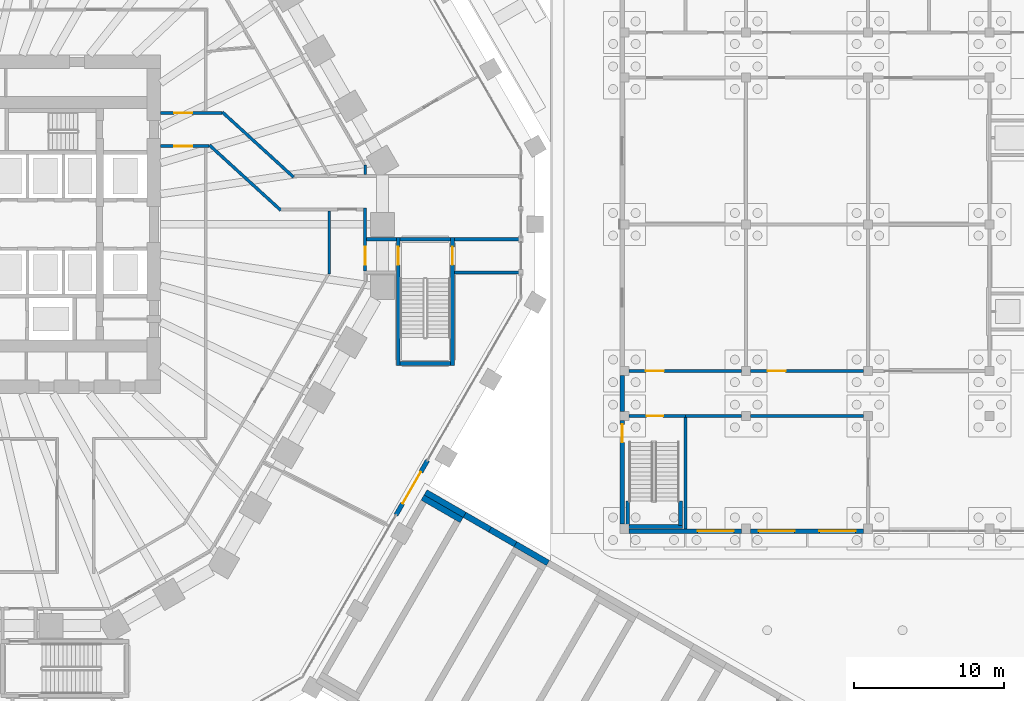
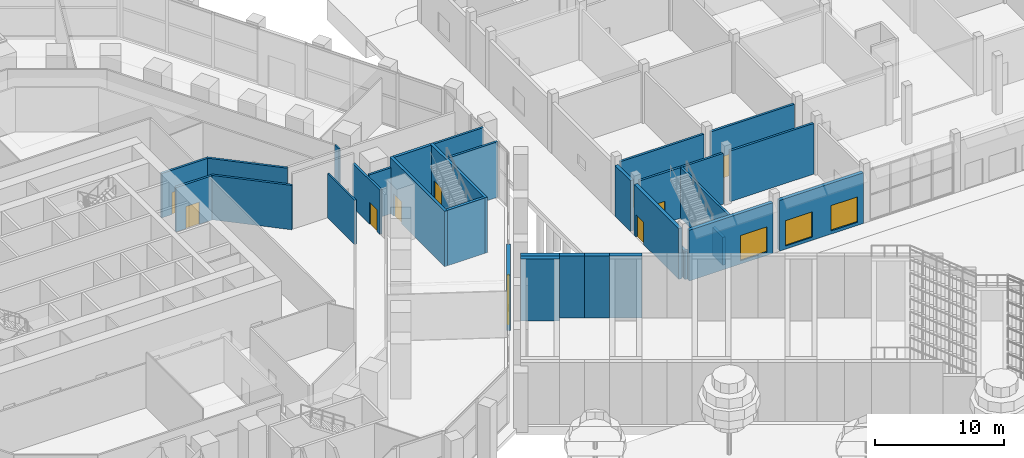
# One storey, part 22 of 44: 33 walls, 10 doors, 3 windows, 13 openings.
"""IFC4 building model written with IfcOpenShell, lengths in metres."""

from ifc_helpers import new_model, si_unit, direction, frame, frame_2d, origin, place, context, subcontext, project, spatial, rectangle, extrude, material, layer, layer_set, type_object, element, fill, save


model = new_model("IFC4")

# Units and contexts
model_context = context("Model", 3, precision=1e-05, world=origin(), true_north=direction((0.0, 1.0)))
body_context = subcontext(model_context, "Body", "Model", "MODEL_VIEW")
ifc_project = project(units=[si_unit("LENGTHUNIT", "METRE"), si_unit("AREAUNIT", "SQUARE_METRE"), si_unit("VOLUMEUNIT", "CUBIC_METRE"), si_unit("PLANEANGLEUNIT", "RADIAN"), si_unit("MASSUNIT", "GRAM", prefix="KILO")], contexts=[model_context])

# Site, building, storey
site_placement = place(None, origin())
site = spatial("IfcSite", under=ifc_project, at=site_placement, CompositionType="ELEMENT")
building_placement = place(site_placement, origin())
building = spatial("IfcBuilding", under=site, at=building_placement, Name="Frailejon Research Tower", CompositionType="ELEMENT")
storey_placement = place(building_placement, origin())
storey = spatial("IfcBuildingStorey", under=building, at=storey_placement, Name="L00", CompositionType="ELEMENT", Elevation=0.0)

# Walls
ifc_material_1 = material(Name="Gypsum board and masonry partition", Category="masonry")
ifc_layer_1 = layer(ifc_material_1, 0.14990234375)
ifc_layer_set_1 = layer_set([ifc_layer_1], Name="Corridor wall EI 60, gypsum on steel studs 150")
wall_type_1 = type_object("IfcWallType", Name="Corridor wall EI 60, gypsum on steel studs 150", PredefinedType="PARTITIONING", material=ifc_layer_set_1)
wall_1_placement = place(storey_placement, frame((27.2626953125, 3.300048828125, 0.0), z_axis=(0.0, 0.0, 1.0), x_axis=(0.0, 1.0, 0.0)))
element("IfcWall", 1, at=wall_1_placement, inside=storey, type_object=wall_type_1, Name="T:IW:L00:010", PredefinedType="PARTITIONING", context=body_context, shape_type="SweptSolid", body=[
    extrude(rectangle(XDim=0.654296875, YDim=0.14990234375, at=frame_2d((0.3271484375, 0.0))), origin(), (0.0, 0.0, 1.0), 4.199951171875),
])
wall_2_placement = place(storey_placement, frame((24.86279296875, -3.311279296875, 0.0), z_axis=(0.0, 0.0, 1.0), x_axis=(0.0, 1.0, 0.0)))
element("IfcWall", 2, at=wall_2_placement, inside=storey, type_object=wall_type_1, Name="T:IW:L00:040", PredefinedType="PARTITIONING", context=body_context, shape_type="SweptSolid", body=[
    extrude(rectangle(XDim=4.211181640625, YDim=0.14990234375, at=frame_2d((2.10546875, 0.0))), origin(), (0.0, 0.0, 1.0), 4.199951171875),
])

# Wall, opening, door
ifc_material_2 = material(Name="Gypsum board and masonry partition", Category="masonry")
ifc_layer_2 = layer(ifc_material_2, 0.199951171875)
ifc_layer_set_2 = layer_set([ifc_layer_2], Name="Enclosure wall EI 120, blockwork 200")
wall_type_2 = type_object("IfcWallType", Name="Enclosure wall EI 120, blockwork 200", PredefinedType="PARTITIONING", material=ifc_layer_set_2)
wall_3_placement = place(storey_placement, frame((13.64990234375, 7.39990234375, 0.0), z_axis=(0.0, 0.0, 1.0), x_axis=(1.0, 0.0, 0.0)))
wall_3 = element("IfcWall", 3, at=wall_3_placement, inside=storey, type_object=wall_type_2, Name="T:IW:L00:046", PredefinedType="PARTITIONING", context=body_context, shape_type="SweptSolid", body=[
    extrude(rectangle(XDim=4.07666015625, YDim=0.199951171875, at=frame_2d((2.038330078125, 0.0))), origin(), (0.0, 0.0, 1.0), 4.199951171875),
])
opening_1_placement = place(wall_3_placement, frame((0.89990234375, 0.0, 0.0)))
opening_1 = element("IfcOpeningElement", 4, at=opening_1_placement, cuts=wall_3, Name="Opening D1021", PredefinedType="OPENING", context=body_context, shape_type="SweptSolid", body=[
    extrude(rectangle(XDim=1.199951171875, YDim=2.10009765625, at=frame_2d((0.60009765625, 1.050048828125))), frame((0.0, 0.10986328125, 0.0), z_axis=(0.0, -1.0, 0.0), x_axis=(1.0, 0.0, 0.0)), (0.0, 0.0, 1.0), 0.219970703125),
])
ifc_material_3 = material(Name="Steel door leaf", Category="steel")
door_type_1 = type_object("IfcDoorType", Name="Door exit passage, steel, fire rated 1200", OperationType="NOTDEFINED", PredefinedType="DOOR", material=ifc_material_3)
door_1_placement = place(opening_1_placement, origin())
door_1 = element("IfcDoor", 5, at=door_1_placement, inside=storey, type_object=door_type_1, Name="D1021", OperationType="SINGLE_SWING_LEFT", OverallHeight=2.10009765625, OverallWidth=1.199951171875, PredefinedType="DOOR", context=body_context, shape_type="SweptSolid", body=[
    extrude(rectangle(XDim=1.199951171875, YDim=2.10009765625, at=frame_2d((0.60009765625, 1.050048828125))), frame((0.0, 0.02490234375, 0.0), z_axis=(0.0, -1.0, 0.0), x_axis=(1.0, 0.0, 0.0)), (0.0, 0.0, 1.0), 0.050048828125),
])
fill(opening_1, door_1)

wall_4_placement = place(storey_placement, frame((13.64990234375, 5.199951171875, 0.0), z_axis=(0.0, 0.0, 1.0), x_axis=(1.0, 0.0, 0.0)))
wall_4 = element("IfcWall", 6, at=wall_4_placement, inside=storey, type_object=wall_type_2, Name="T:IW:L00:056", PredefinedType="PARTITIONING", context=body_context, shape_type="SweptSolid", body=[
    extrude(rectangle(XDim=3.223388671875, YDim=0.199951171875, at=frame_2d((1.61181640625, 0.0))), origin(), (0.0, 0.0, 1.0), 4.199951171875),
])
opening_2_placement = place(wall_4_placement, frame((0.89990234375, 0.0, 0.0)))
opening_2 = element("IfcOpeningElement", 7, at=opening_2_placement, cuts=wall_4, Name="Opening D1024", PredefinedType="OPENING", context=body_context, shape_type="SweptSolid", body=[
    extrude(rectangle(XDim=1.199951171875, YDim=2.10009765625, at=frame_2d((0.60009765625, 1.050048828125))), frame((0.0, 0.10986328125, 0.0), z_axis=(0.0, -1.0, 0.0), x_axis=(1.0, 0.0, 0.0)), (0.0, 0.0, 1.0), 0.219970703125),
])
door_2_placement = place(opening_2_placement, origin())
door_2 = element("IfcDoor", 8, at=door_2_placement, inside=storey, type_object=door_type_1, Name="D1024", OperationType="SINGLE_SWING_RIGHT", OverallHeight=2.10009765625, OverallWidth=1.199951171875, PredefinedType="DOOR", context=body_context, shape_type="SweptSolid", body=[
    extrude(rectangle(XDim=1.199951171875, YDim=2.10009765625, at=frame_2d((0.60009765625, 1.050048828125))), frame((0.0, 0.02490234375, 0.0), z_axis=(0.0, -1.0, 0.0), x_axis=(1.0, 0.0, 0.0)), (0.0, 0.0, 1.0), 0.050048828125),
])
fill(opening_2, door_2)

wall_5_placement = place(storey_placement, frame((27.2626953125, -3.09375, 0.0), z_axis=(0.0, 0.0, 1.0), x_axis=(0.0, 1.0, 0.0)))
wall_5 = element("IfcWall", 9, at=wall_5_placement, inside=storey, type_object=wall_type_2, Name="T:IW:L00:059", PredefinedType="PARTITIONING", context=body_context, shape_type="SweptSolid", body=[
    extrude(rectangle(XDim=4.19384765625, YDim=0.199951171875, at=frame_2d((2.096923828125, 0.0))), origin(), (0.0, 0.0, 1.0), 4.199951171875),
])
opening_3_placement = place(wall_5_placement, frame((1.599853515625, 0.0, 0.0), z_axis=(0.0, 0.0, 1.0), x_axis=(-1.0, 0.0, 0.0)))
opening_3 = element("IfcOpeningElement", 10, at=opening_3_placement, cuts=wall_5, Name="Opening PSD13", PredefinedType="OPENING", context=body_context, shape_type="SweptSolid", body=[
    extrude(rectangle(XDim=1.199951171875, YDim=2.10009765625, at=frame_2d((0.60009765625, 1.050048828125))), frame((0.0, 0.10986328125, 0.0), z_axis=(0.0, -1.0, 0.0), x_axis=(1.0, 0.0, 0.0)), (0.0, 0.0, 1.0), 0.219970703125),
])
door_3_placement = place(opening_3_placement, origin())
door_3 = element("IfcDoor", 11, at=door_3_placement, inside=storey, type_object=door_type_1, Name="PSD13", OperationType="SINGLE_SWING_RIGHT", OverallHeight=2.10009765625, OverallWidth=1.199951171875, PredefinedType="DOOR", context=body_context, shape_type="SweptSolid", body=[
    extrude(rectangle(XDim=1.199951171875, YDim=2.10009765625, at=frame_2d((0.60009765625, 1.050048828125))), frame((0.0, 0.02490234375, 0.0), z_axis=(0.0, -1.0, 0.0), x_axis=(1.0, 0.0, 0.0)), (0.0, 0.0, 1.0), 0.050048828125),
])
fill(opening_3, door_3)

# Walls
for number, where, z_axis, x_axis, name in (
    (12, (17.752685546875, 7.46728515625, 0.0), (0.0, 0.0, 1.0), (0.738503580816, -0.674249554039, 0.0), "T:IW:L00:064"),
    (13, (16.8994140625, 5.267333984375, 0.0), (0.0, 0.0, 1.0), (0.738503580816, -0.674249554039, 0.0), "T:IW:L00:065"),
):
    element("IfcWall", number, at=place(storey_placement, frame(where, z_axis=z_axis, x_axis=x_axis)), inside=storey, type_object=wall_type_2, Name=name, PredefinedType="PARTITIONING", context=body_context, shape_type="SweptSolid", body=[
        extrude(rectangle(XDim=6.428955078125, YDim=0.199951171875, at=frame_2d((3.21435546875, 0.0))), origin(), (0.0, 0.0, 1.0), 4.199951171875),
    ])
wall_6_placement = place(storey_placement, frame((27.36279296875, -0.993896484375, 0.0), z_axis=(0.0, 0.0, 1.0), x_axis=(1.0, 0.0, 0.0)))
element("IfcWall", 14, at=wall_6_placement, inside=storey, type_object=wall_type_2, Name="T:IW:L00:067", PredefinedType="PARTITIONING", context=body_context, shape_type="SweptSolid", body=[
    extrude(rectangle(XDim=1.97509765625, YDim=0.199951171875, at=frame_2d((0.987548828125, 0.0))), origin(), (0.0, 0.0, 1.0), 4.35009765625),
])
for number, where, z_axis, x_axis, name in (
    (15, (33.187744140625, -0.993896484375, 0.0), (0.0, 0.0, 1.0), (1.0, 0.0, 0.0), "T:IW:L00:068"),
    (16, (33.187744140625, -3.19384765625, 0.0), (0.0, 0.0, 1.0), (1.0, 0.0, 0.0), "T:IW:L00:082"),
):
    element("IfcWall", number, at=place(storey_placement, frame(where, z_axis=z_axis, x_axis=x_axis)), inside=storey, type_object=wall_type_2, Name=name, PredefinedType="PARTITIONING", context=body_context, shape_type="SweptSolid", body=[
        extrude(rectangle(XDim=4.431396484375, YDim=0.199951171875, at=frame_2d((2.2158203125, 0.0))), origin(), (0.0, 0.0, 1.0), 5.25),
    ])

# Wall, opening, window
ifc_material_4 = material(Name="Insulated masonry cavity wall", Category="masonry")
ifc_layer_3 = layer(ifc_material_4, 0.300048828125)
ifc_layer_set_3 = layer_set([ifc_layer_3], Name="HC facade wall 300")
wall_type_3 = type_object("IfcWallType", Name="HC facade wall 300", PredefinedType="SOLIDWALL", material=ifc_layer_set_3)
wall_7_placement = place(storey_placement, frame((44.800048828125, -20.39990234375, 0.0), z_axis=(0.0, 0.0, 1.0), x_axis=(1.0, 0.0, 0.0)))
wall_7 = element("IfcWall", 17, at=wall_7_placement, inside=storey, type_object=wall_type_3, Name="HC facade wall", PredefinedType="SOLIDWALL", context=body_context, shape_type="SweptSolid", body=[
    extrude(rectangle(XDim=7.5, YDim=0.300048828125, at=frame_2d((3.75, 0.0))), origin(), (0.0, 0.0, 1.0), 4.800048828125),
])
opening_4_placement = place(wall_7_placement, frame((4.574951171875, 0.0, 0.300048828125)))
opening_4 = element("IfcOpeningElement", 18, at=opening_4_placement, cuts=wall_7, Name="Opening HW003", PredefinedType="OPENING", context=body_context, shape_type="SweptSolid", body=[
    extrude(rectangle(XDim=2.39990234375, YDim=2.39990234375, at=frame_2d((1.199951171875, 1.199951171875))), frame((0.0, 0.159912109375, 0.0), z_axis=(0.0, -1.0, 0.0), x_axis=(1.0, 0.0, 0.0)), (0.0, 0.0, 1.0), 0.320068359375),
])
ifc_material_5 = material(Name="Aluminium framed double glazing", Category="aluminium")
window_type = type_object("IfcWindowType", Name="HC window 2400x2400", PartitioningType="DOUBLE_PANEL_VERTICAL", PredefinedType="WINDOW", material=ifc_material_5)
window_1_placement = place(opening_4_placement, origin())
window_1 = element("IfcWindow", 19, at=window_1_placement, inside=storey, type_object=window_type, Name="Window HW003 (HCW3)", OverallHeight=2.39990234375, OverallWidth=2.39990234375, PartitioningType="DOUBLE_PANEL_VERTICAL", PredefinedType="WINDOW", context=body_context, shape_type="SweptSolid", body=[
    extrude(rectangle(XDim=2.39990234375, YDim=2.39990234375, at=frame_2d((1.199951171875, 1.199951171875))), frame((0.0, 0.030029296875, 0.0), z_axis=(0.0, -1.0, 0.0), x_axis=(1.0, 0.0, 0.0)), (0.0, 0.0, 1.0), 0.06005859375),
])
fill(opening_4, window_1)

# Wall, openings, windows
wall_8_placement = place(storey_placement, frame((52.89990234375, -20.39990234375, 0.0), z_axis=(0.0, 0.0, 1.0), x_axis=(1.0, 0.0, 0.0)))
wall_8 = element("IfcWall", 20, at=wall_8_placement, inside=storey, type_object=wall_type_3, Name="HC facade wall", PredefinedType="SOLIDWALL", context=body_context, shape_type="SweptSolid", body=[
    extrude(rectangle(XDim=7.5, YDim=0.300048828125, at=frame_2d((3.75, 0.0))), origin(), (0.0, 0.0, 1.0), 4.800048828125),
])
opening_5_placement = place(wall_8_placement, frame((0.52490234375, 0.0, 0.300048828125)))
opening_5 = element("IfcOpeningElement", 21, at=opening_5_placement, cuts=wall_8, Name="Opening HW004", PredefinedType="OPENING", context=body_context, shape_type="SweptSolid", body=[
    extrude(rectangle(XDim=2.39990234375, YDim=2.39990234375, at=frame_2d((1.199951171875, 1.199951171875))), frame((0.0, 0.159912109375, 0.0), z_axis=(0.0, -1.0, 0.0), x_axis=(1.0, 0.0, 0.0)), (0.0, 0.0, 1.0), 0.320068359375),
])
opening_6_placement = place(wall_8_placement, frame((4.574951171875, 0.0, 0.300048828125)))
opening_6 = element("IfcOpeningElement", 22, at=opening_6_placement, cuts=wall_8, Name="Opening HW005", PredefinedType="OPENING", context=body_context, shape_type="SweptSolid", body=[
    extrude(rectangle(XDim=2.39990234375, YDim=2.39990234375, at=frame_2d((1.199951171875, 1.199951171875))), frame((0.0, 0.159912109375, 0.0), z_axis=(0.0, -1.0, 0.0), x_axis=(1.0, 0.0, 0.0)), (0.0, 0.0, 1.0), 0.320068359375),
])
window_2_placement = place(opening_5_placement, origin())
window_2 = element("IfcWindow", 23, at=window_2_placement, inside=storey, type_object=window_type, Name="Window HW004 (HCW3)", OverallHeight=2.39990234375, OverallWidth=2.39990234375, PartitioningType="DOUBLE_PANEL_VERTICAL", PredefinedType="WINDOW", context=body_context, shape_type="SweptSolid", body=[
    extrude(rectangle(XDim=2.39990234375, YDim=2.39990234375, at=frame_2d((1.199951171875, 1.199951171875))), frame((0.0, 0.030029296875, 0.0), z_axis=(0.0, -1.0, 0.0), x_axis=(1.0, 0.0, 0.0)), (0.0, 0.0, 1.0), 0.06005859375),
])
fill(opening_5, window_2)
window_3_placement = place(opening_6_placement, origin())
window_3 = element("IfcWindow", 24, at=window_3_placement, inside=storey, type_object=window_type, Name="Window HW005 (HCW3)", OverallHeight=2.39990234375, OverallWidth=2.39990234375, PartitioningType="DOUBLE_PANEL_VERTICAL", PredefinedType="WINDOW", context=body_context, shape_type="SweptSolid", body=[
    extrude(rectangle(XDim=2.39990234375, YDim=2.39990234375, at=frame_2d((1.199951171875, 1.199951171875))), frame((0.0, 0.030029296875, 0.0), z_axis=(0.0, -1.0, 0.0), x_axis=(1.0, 0.0, 0.0)), (0.0, 0.0, 1.0), 0.06005859375),
])
fill(opening_6, window_3)

# Wall, opening, door
wall_9_placement = place(storey_placement, frame((44.35009765625, -19.949951171875, 0.0), z_axis=(0.0, 0.0, 1.0), x_axis=(0.0, 1.0, 0.0)))
wall_9 = element("IfcWall", 25, at=wall_9_placement, inside=storey, type_object=wall_type_3, Name="HC facade wall", PredefinedType="SOLIDWALL", context=body_context, shape_type="SweptSolid", body=[
    extrude(rectangle(XDim=6.89990234375, YDim=0.300048828125, at=frame_2d((3.449951171875, 0.0))), origin(), (0.0, 0.0, 1.0), 4.800048828125),
])
opening_7_placement = place(wall_9_placement, frame((5.43994140625, 0.0, 0.0)))
opening_7 = element("IfcOpeningElement", 26, at=opening_7_placement, cuts=wall_9, Name="Opening HD033", PredefinedType="OPENING", context=body_context, shape_type="SweptSolid", body=[
    extrude(rectangle(XDim=1.199951171875, YDim=2.10009765625, at=frame_2d((0.60009765625, 1.050048828125))), frame((0.0, 0.159912109375, 0.0), z_axis=(0.0, -1.0, 0.0), x_axis=(1.0, 0.0, 0.0)), (0.0, 0.0, 1.0), 0.320068359375),
])
ifc_material_6 = material(Name="Aluminium framed glazed door leaf", Category="aluminium")
door_type_2 = type_object("IfcDoorType", Name="HC exit door 1200", OperationType="SINGLE_SWING_RIGHT", PredefinedType="DOOR", material=ifc_material_6)
door_4_placement = place(opening_7_placement, origin())
door_4 = element("IfcDoor", 27, at=door_4_placement, inside=storey, type_object=door_type_2, Name="Door HD033", OperationType="SINGLE_SWING_RIGHT", OverallHeight=2.10009765625, OverallWidth=1.199951171875, PredefinedType="DOOR", context=body_context, shape_type="SweptSolid", body=[
    extrude(rectangle(XDim=1.199951171875, YDim=2.10009765625, at=frame_2d((0.60009765625, 1.050048828125))), frame((0.0, 0.02490234375, 0.0), z_axis=(0.0, -1.0, 0.0), x_axis=(1.0, 0.0, 0.0)), (0.0, 0.0, 1.0), 0.050048828125),
])
fill(opening_7, door_4)

# Wall
wall_10_placement = place(storey_placement, frame((44.35009765625, -12.449951171875, 0.0), z_axis=(0.0, 0.0, 1.0), x_axis=(0.0, 1.0, 0.0)))
element("IfcWall", 28, at=wall_10_placement, inside=storey, type_object=wall_type_3, Name="HC facade wall", PredefinedType="SOLIDWALL", context=body_context, shape_type="SweptSolid", body=[
    extrude(rectangle(XDim=2.39990234375, YDim=0.300048828125, at=frame_2d((1.199951171875, 0.0))), origin(), (0.0, 0.0, 1.0), 4.800048828125),
])

# Wall, opening, door
ifc_material_7 = material(Name="Concrete C35/45", Category="concrete")
ifc_layer_4 = layer(ifc_material_7, 0.199951171875)
ifc_layer_set_4 = layer_set([ifc_layer_4], Name="HC fire wall 200")
wall_type_4 = type_object("IfcWallType", Name="HC fire wall 200", PredefinedType="SOLIDWALL", material=ifc_layer_set_4)
wall_11_placement = place(storey_placement, frame((44.800048828125, -12.75, 0.0), z_axis=(0.0, 0.0, 1.0), x_axis=(1.0, 0.0, 0.0)))
wall_11 = element("IfcWall", 29, at=wall_11_placement, inside=storey, type_object=wall_type_4, Name="HC fire-resisting wall", PredefinedType="SOLIDWALL", context=body_context, shape_type="SweptSolid", body=[
    extrude(rectangle(XDim=3.75, YDim=0.199951171875, at=frame_2d((1.875, 0.0))), origin(), (0.0, 0.0, 1.0), 4.800048828125),
])
opening_8_placement = place(wall_11_placement, frame((1.175048828125, 0.0, 0.0)))
opening_8 = element("IfcOpeningElement", 30, at=opening_8_placement, cuts=wall_11, Name="Opening HD003", PredefinedType="OPENING", context=body_context, shape_type="SweptSolid", body=[
    extrude(rectangle(XDim=1.10009765625, YDim=2.10009765625, at=frame_2d((0.550048828125, 1.050048828125))), frame((0.0, 0.10986328125, 0.0), z_axis=(0.0, -1.0, 0.0), x_axis=(1.0, 0.0, 0.0)), (0.0, 0.0, 1.0), 0.219970703125),
])
ifc_material_8 = material(Name="Steel fire door leaf", Category="steel")
door_type_3 = type_object("IfcDoorType", Name="HC stair door 1100 right", OperationType="SINGLE_SWING_RIGHT", PredefinedType="DOOR", material=ifc_material_8)
door_5_placement = place(opening_8_placement, origin())
door_5 = element("IfcDoor", 31, at=door_5_placement, inside=storey, type_object=door_type_3, Name="Door HD003", OperationType="SINGLE_SWING_RIGHT", OverallHeight=2.10009765625, OverallWidth=1.10009765625, PredefinedType="DOOR", context=body_context, shape_type="SweptSolid", body=[
    extrude(rectangle(XDim=1.10009765625, YDim=2.10009765625, at=frame_2d((0.550048828125, 1.050048828125))), frame((0.0, 0.02490234375, 0.0), z_axis=(0.0, -1.0, 0.0), x_axis=(1.0, 0.0, 0.0)), (0.0, 0.0, 1.0), 0.050048828125),
])
fill(opening_8, door_5)

# Walls
wall_12_placement = place(storey_placement, frame((48.550048828125, -20.25, 0.0), z_axis=(0.0, 0.0, 1.0), x_axis=(0.0, 1.0, 0.0)))
element("IfcWall", 32, at=wall_12_placement, inside=storey, type_object=wall_type_4, Name="HC fire-resisting wall", PredefinedType="SOLIDWALL", context=body_context, shape_type="SweptSolid", body=[
    extrude(rectangle(XDim=7.39990234375, YDim=0.199951171875, at=frame_2d((3.699951171875, 0.0))), origin(), (0.0, 0.0, 1.0), 4.800048828125),
])
ifc_material_9 = material(Name="Masonry blockwork partition", Category="masonry")
ifc_layer_5 = layer(ifc_material_9, 0.199951171875)
ifc_layer_set_5 = layer_set([ifc_layer_5], Name="HC partition 200")
wall_type_5 = type_object("IfcWallType", Name="HC partition 200", PredefinedType="PARTITIONING", material=ifc_layer_set_5)
wall_13_placement = place(storey_placement, frame((48.550048828125, -12.75, 0.0), z_axis=(0.0, 0.0, 1.0), x_axis=(1.0, 0.0, 0.0)))
element("IfcWall", 33, at=wall_13_placement, inside=storey, type_object=wall_type_5, Name="HC partition", PredefinedType="PARTITIONING", context=body_context, shape_type="SweptSolid", body=[
    extrude(rectangle(XDim=3.75, YDim=0.199951171875, at=frame_2d((1.875, 0.0))), origin(), (0.0, 0.0, 1.0), 4.800048828125),
])
wall_14_placement = place(storey_placement, frame((52.89990234375, -12.75, 0.0), z_axis=(0.0, 0.0, 1.0), x_axis=(1.0, 0.0, 0.0)))
element("IfcWall", 34, at=wall_14_placement, inside=storey, type_object=wall_type_5, Name="HC partition", PredefinedType="PARTITIONING", context=body_context, shape_type="SweptSolid", body=[
    extrude(rectangle(XDim=7.5, YDim=0.199951171875, at=frame_2d((3.75, 0.0))), origin(), (0.0, 0.0, 1.0), 4.800048828125),
])

# Wall, opening, door
wall_15_placement = place(storey_placement, frame((44.800048828125, -9.75, 0.0), z_axis=(0.0, 0.0, 1.0), x_axis=(1.0, 0.0, 0.0)))
wall_15 = element("IfcWall", 35, at=wall_15_placement, inside=storey, type_object=wall_type_5, Name="HC partition", PredefinedType="PARTITIONING", context=body_context, shape_type="SweptSolid", body=[
    extrude(rectangle(XDim=7.5, YDim=0.199951171875, at=frame_2d((3.75, 0.0))), origin(), (0.0, 0.0, 1.0), 4.800048828125),
])
opening_9_placement = place(wall_15_placement, frame((1.125, 0.0, 0.0)))
opening_9 = element("IfcOpeningElement", 36, at=opening_9_placement, cuts=wall_15, Name="Opening HD009", PredefinedType="OPENING", context=body_context, shape_type="SweptSolid", body=[
    extrude(rectangle(XDim=1.199951171875, YDim=2.10009765625, at=frame_2d((0.60009765625, 1.050048828125))), frame((0.0, 0.10986328125, 0.0), z_axis=(0.0, -1.0, 0.0), x_axis=(1.0, 0.0, 0.0)), (0.0, 0.0, 1.0), 0.219970703125),
])
ifc_material_10 = material(Name="Timber veneered fire door leaf", Category="wood")
door_type_4 = type_object("IfcDoorType", Name="HC door 1200 right", OperationType="SINGLE_SWING_RIGHT", PredefinedType="DOOR", material=ifc_material_10)
door_6_placement = place(opening_9_placement, origin())
door_6 = element("IfcDoor", 37, at=door_6_placement, inside=storey, type_object=door_type_4, Name="Door HD009", OperationType="SINGLE_SWING_RIGHT", OverallHeight=2.10009765625, OverallWidth=1.199951171875, PredefinedType="DOOR", context=body_context, shape_type="SweptSolid", body=[
    extrude(rectangle(XDim=1.199951171875, YDim=2.10009765625, at=frame_2d((0.60009765625, 1.050048828125))), frame((0.0, 0.02490234375, 0.0), z_axis=(0.0, -1.0, 0.0), x_axis=(1.0, 0.0, 0.0)), (0.0, 0.0, 1.0), 0.050048828125),
])
fill(opening_9, door_6)

wall_16_placement = place(storey_placement, frame((52.89990234375, -9.75, 0.0), z_axis=(0.0, 0.0, 1.0), x_axis=(1.0, 0.0, 0.0)))
wall_16 = element("IfcWall", 38, at=wall_16_placement, inside=storey, type_object=wall_type_5, Name="HC partition", PredefinedType="PARTITIONING", context=body_context, shape_type="SweptSolid", body=[
    extrude(rectangle(XDim=7.5, YDim=0.199951171875, at=frame_2d((3.75, 0.0))), origin(), (0.0, 0.0, 1.0), 4.800048828125),
])
opening_10_placement = place(wall_16_placement, frame((1.125, 0.0, 0.0)))
opening_10 = element("IfcOpeningElement", 39, at=opening_10_placement, cuts=wall_16, Name="Opening HD010", PredefinedType="OPENING", context=body_context, shape_type="SweptSolid", body=[
    extrude(rectangle(XDim=1.199951171875, YDim=2.10009765625, at=frame_2d((0.60009765625, 1.050048828125))), frame((0.0, 0.10986328125, 0.0), z_axis=(0.0, -1.0, 0.0), x_axis=(1.0, 0.0, 0.0)), (0.0, 0.0, 1.0), 0.219970703125),
])
ifc_material_11 = material(Name="Timber veneered fire door leaf", Category="wood")
door_type_5 = type_object("IfcDoorType", Name="HC door 1200 left", OperationType="SINGLE_SWING_LEFT", PredefinedType="DOOR", material=ifc_material_11)
door_7_placement = place(opening_10_placement, origin())
door_7 = element("IfcDoor", 40, at=door_7_placement, inside=storey, type_object=door_type_5, Name="Door HD010", OperationType="SINGLE_SWING_LEFT", OverallHeight=2.10009765625, OverallWidth=1.199951171875, PredefinedType="DOOR", context=body_context, shape_type="SweptSolid", body=[
    extrude(rectangle(XDim=1.199951171875, YDim=2.10009765625, at=frame_2d((0.60009765625, 1.050048828125))), frame((0.0, 0.02490234375, 0.0), z_axis=(0.0, -1.0, 0.0), x_axis=(1.0, 0.0, 0.0)), (0.0, 0.0, 1.0), 0.050048828125),
])
fill(opening_10, door_7)

# Walls
ifc_material_12 = material(Name="Concrete C35/45", Category="concrete")
ifc_layer_6 = layer(ifc_material_12, 0.25)
ifc_layer_set_6 = layer_set([ifc_layer_6], Name="HC stair landing wall 250")
wall_type_6 = type_object("IfcWallType", Name="HC stair landing wall 250", PredefinedType="SOLIDWALL", material=ifc_layer_set_6)
for number, where, z_axis, x_axis, name in (
    (41, (44.72509765625, -20.02001953125, 0.0), (0.0, 0.0, 1.0), (0.0, 1.0, 0.0), "HC stair landing wall"),
    (42, (48.22509765625, -20.02001953125, 0.0), (0.0, 0.0, 1.0), (0.0, 1.0, 0.0), "HC stair landing wall"),
):
    element("IfcWall", number, at=place(storey_placement, frame(where, z_axis=z_axis, x_axis=x_axis)), inside=storey, type_object=wall_type_6, Name=name, PredefinedType="SOLIDWALL", context=body_context, shape_type="SweptSolid", body=[
        extrude(rectangle(XDim=1.60009765625, YDim=0.25, at=frame_2d((0.800048828125, 0.0))), origin(), (0.0, 0.0, 1.0), 2.64990234375),
    ])
wall_17_placement = place(storey_placement, frame((44.60009765625, -20.094970703125, 0.0), z_axis=(0.0, 0.0, 1.0), x_axis=(1.0, 0.0, 0.0)))
element("IfcWall", 43, at=wall_17_placement, inside=storey, type_object=wall_type_6, Name="HC stair landing wall", PredefinedType="SOLIDWALL", context=body_context, shape_type="SweptSolid", body=[
    extrude(rectangle(XDim=3.75, YDim=0.25, at=frame_2d((1.875, 0.0))), origin(), (0.0, 0.0, 1.0), 2.64990234375),
])

# Wall, opening, door
ifc_material_13 = material(Name="Concrete C40/50 precast entrance pier", Category="concrete")
ifc_layer_7 = layer(ifc_material_13, 0.300048828125)
ifc_layer_set_7 = layer_set([ifc_layer_7], Name="Podium entrance wall 300")
wall_type_7 = type_object("IfcWallType", Name="Podium entrance wall 300", PredefinedType="SOLIDWALL", material=ifc_layer_set_7)
wall_18_placement = place(storey_placement, frame((29.30419921875, -19.34375, 0.0), z_axis=(0.0, 0.0, 1.0), x_axis=(0.500002543286, 0.866023935413, 0.0)))
wall_18 = element("IfcWall", 44, at=wall_18_placement, inside=storey, type_object=wall_type_7, Name="Entrance pier L00", PredefinedType="SOLIDWALL", context=body_context, shape_type="SweptSolid", body=[
    extrude(rectangle(XDim=4.2001953125, YDim=0.300048828125, at=frame_2d((2.10009765625, 0.0))), origin(), (0.0, 0.0, 1.0), 5.25),
])
opening_11_placement = place(wall_18_placement, frame((0.89990234375, 0.0, 0.0)))
opening_11 = element("IfcOpeningElement", 45, at=opening_11_placement, cuts=wall_18, Name="Opening EN-6", PredefinedType="OPENING", context=body_context, shape_type="SweptSolid", body=[
    extrude(rectangle(XDim=2.39990234375, YDim=3.0, at=frame_2d((1.199951171875, 1.5))), frame((0.0, 0.159912109375, 0.0), z_axis=(0.0, -1.0, 0.0), x_axis=(1.0, 0.0, 0.0)), (0.0, 0.0, 1.0), 0.320068359375),
])
ifc_material_14 = material(Name="Aluminium framed glazed door leaf", Category="aluminium")
door_type_6 = type_object("IfcDoorType", Name="Entrance door 2400x3000", OperationType="DOUBLE_DOOR_SINGLE_SWING", PredefinedType="DOOR", material=ifc_material_14)
door_8_placement = place(opening_11_placement, origin())
door_8 = element("IfcDoor", 46, at=door_8_placement, inside=storey, type_object=door_type_6, Name="Door EN-6", OperationType="DOUBLE_DOOR_SINGLE_SWING", OverallHeight=3.0, OverallWidth=2.39990234375, PredefinedType="DOOR", context=body_context, shape_type="SweptSolid", body=[
    extrude(rectangle(XDim=2.39990234375, YDim=3.0, at=frame_2d((1.199951171875, 1.5))), frame((0.0, 0.02490234375, 0.0), z_axis=(0.0, -1.0, 0.0), x_axis=(1.0, 0.0, 0.0)), (0.0, 0.0, 1.0), 0.050048828125),
])
fill(opening_11, door_8)

ifc_material_15 = material(Name="Concrete C50/60", Category="concrete")
ifc_layer_8 = layer(ifc_material_15, 0.25)
ifc_layer_set_8 = layer_set([ifc_layer_8], Name="Stair enclosure wall EI 120, Concrete C50/60 250")
wall_type_8 = type_object("IfcWallType", Name="Stair enclosure wall EI 120, Concrete C50/60 250", PredefinedType="SOLIDWALL", material=ifc_layer_set_8)
wall_19_placement = place(storey_placement, frame((29.462890625, -9.388916015625, 0.0), z_axis=(0.0, 0.0, 1.0), x_axis=(0.0, 1.0, 0.0)))
wall_19 = element("IfcWall", 47, at=wall_19_placement, inside=storey, type_object=wall_type_8, Name="T:IW:L00:118", PredefinedType="SOLIDWALL", context=body_context, shape_type="SweptSolid", body=[
    extrude(rectangle(XDim=8.4951171875, YDim=0.25, at=frame_2d((4.24755859375, 0.0))), origin(), (0.0, 0.0, 1.0), 5.25),
])
opening_12_placement = place(wall_19_placement, frame((7.89501953125, 0.0, 0.0), z_axis=(0.0, 0.0, 1.0), x_axis=(-1.0, 0.0, 0.0)))
opening_12 = element("IfcOpeningElement", 48, at=opening_12_placement, cuts=wall_19, Name="Opening PSD14", PredefinedType="OPENING", context=body_context, shape_type="SweptSolid", body=[
    extrude(rectangle(XDim=1.199951171875, YDim=2.10009765625, at=frame_2d((0.60009765625, 1.050048828125))), frame((0.0, 0.135009765625, 0.0), z_axis=(0.0, -1.0, 0.0), x_axis=(1.0, 0.0, 0.0)), (0.0, 0.0, 1.0), 0.27001953125),
])
door_9_placement = place(opening_12_placement, origin())
door_9 = element("IfcDoor", 49, at=door_9_placement, inside=storey, type_object=door_type_1, Name="PSD14", OperationType="SINGLE_SWING_LEFT", OverallHeight=2.10009765625, OverallWidth=1.199951171875, PredefinedType="DOOR", context=body_context, shape_type="SweptSolid", body=[
    extrude(rectangle(XDim=1.199951171875, YDim=2.10009765625, at=frame_2d((0.60009765625, 1.050048828125))), frame((0.0, 0.02490234375, 0.0), z_axis=(0.0, -1.0, 0.0), x_axis=(1.0, 0.0, 0.0)), (0.0, 0.0, 1.0), 0.050048828125),
])
fill(opening_12, door_9)

# Wall
wall_20_placement = place(storey_placement, frame((29.587890625, -0.993896484375, 0.0), z_axis=(0.0, 0.0, 1.0), x_axis=(1.0, 0.0, 0.0)))
element("IfcWall", 50, at=wall_20_placement, inside=storey, type_object=wall_type_8, Name="T:IW:L00:119", PredefinedType="SOLIDWALL", context=body_context, shape_type="SweptSolid", body=[
    extrude(rectangle(XDim=3.349853515625, YDim=0.25, at=frame_2d((1.6748046875, 0.0))), origin(), (0.0, 0.0, 1.0), 5.25),
])

# Wall, opening, door
wall_21_placement = place(storey_placement, frame((33.062744140625, -9.388916015625, 0.0), z_axis=(0.0, 0.0, 1.0), x_axis=(0.0, 1.0, 0.0)))
wall_21 = element("IfcWall", 51, at=wall_21_placement, inside=storey, type_object=wall_type_8, Name="T:IW:L00:120", PredefinedType="SOLIDWALL", context=body_context, shape_type="SweptSolid", body=[
    extrude(rectangle(XDim=8.4951171875, YDim=0.25, at=frame_2d((4.24755859375, 0.0))), origin(), (0.0, 0.0, 1.0), 5.25),
])
opening_13_placement = place(wall_21_placement, frame((7.89501953125, 0.0, 0.0), z_axis=(0.0, 0.0, 1.0), x_axis=(-1.0, 0.0, 0.0)))
opening_13 = element("IfcOpeningElement", 52, at=opening_13_placement, cuts=wall_21, Name="Opening PSD15", PredefinedType="OPENING", context=body_context, shape_type="SweptSolid", body=[
    extrude(rectangle(XDim=1.199951171875, YDim=2.10009765625, at=frame_2d((0.60009765625, 1.050048828125))), frame((0.0, 0.135009765625, 0.0), z_axis=(0.0, -1.0, 0.0), x_axis=(1.0, 0.0, 0.0)), (0.0, 0.0, 1.0), 0.27001953125),
])
door_10_placement = place(opening_13_placement, origin())
door_10 = element("IfcDoor", 53, at=door_10_placement, inside=storey, type_object=door_type_1, Name="PSD15", OperationType="SINGLE_SWING_RIGHT", OverallHeight=2.10009765625, OverallWidth=1.199951171875, PredefinedType="DOOR", context=body_context, shape_type="SweptSolid", body=[
    extrude(rectangle(XDim=1.199951171875, YDim=2.10009765625, at=frame_2d((0.60009765625, 1.050048828125))), frame((0.0, 0.02490234375, 0.0), z_axis=(0.0, -1.0, 0.0), x_axis=(1.0, 0.0, 0.0)), (0.0, 0.0, 1.0), 0.050048828125),
])
fill(opening_13, door_10)

# Walls
wall_22_placement = place(storey_placement, frame((29.587890625, -9.263916015625, 0.0), z_axis=(0.0, 0.0, 1.0), x_axis=(1.0, 0.0, 0.0)))
element("IfcWall", 54, at=wall_22_placement, inside=storey, type_object=wall_type_8, Name="T:IW:L00:121", PredefinedType="SOLIDWALL", context=body_context, shape_type="SweptSolid", body=[
    extrude(rectangle(XDim=3.349853515625, YDim=0.25, at=frame_2d((1.6748046875, 0.0))), origin(), (0.0, 0.0, 1.0), 5.25),
])
ifc_material_16 = material(Name="Concrete C35/45", Category="concrete")
ifc_layer_9 = layer(ifc_material_16, 0.39990234375)
ifc_layer_set_9 = layer_set([ifc_layer_9], Name="Stair plinth wall 400")
wall_type_9 = type_object("IfcWallType", Name="Stair plinth wall 400", PredefinedType="SOLIDWALL", material=ifc_layer_set_9)
for number, where, z_axis, x_axis, name in (
    (55, (31.076904296875, -18.173095703125, -0.25), (0.0, 0.0, 1.0), (0.866031096941, -0.499990139034, 0.0), "Broad stair E plinth"),
    (56, (31.27685546875, -17.826904296875, -0.25), (0.0, 0.0, 1.0), (0.866031096941, -0.499990139034, 0.0), "Broad stair E cheek wall"),
):
    element("IfcWall", number, at=place(storey_placement, frame(where, z_axis=z_axis, x_axis=x_axis)), inside=storey, type_object=wall_type_9, Name=name, PredefinedType="SOLIDWALL", context=body_context, shape_type="SweptSolid", body=[
        extrude(rectangle(XDim=3.0, YDim=0.39990234375, at=frame_2d((1.5, 0.0))), origin(), (0.0, 0.0, 1.0), 5.85009765625),
    ])
for number, where, z_axis, x_axis, name in (
    (57, (33.875, -19.326904296875, -0.25), (0.0, 0.0, 1.0), (0.866054235095, -0.49995005938, 0.0), "Broad stair E cheek wall"),
    (58, (35.563720703125, -20.3017578125, -0.25), (0.0, 0.0, 1.0), (0.866000020948, -0.500043961785, 0.0), "Broad stair E cheek wall"),
):
    element("IfcWall", number, at=place(storey_placement, frame(where, z_axis=z_axis, x_axis=x_axis)), inside=storey, type_object=wall_type_9, Name=name, PredefinedType="SOLIDWALL", context=body_context, shape_type="SweptSolid", body=[
        extrude(rectangle(XDim=1.949951171875, YDim=0.39990234375, at=frame_2d((0.97509765625, 0.0))), origin(), (0.0, 0.0, 1.0), 5.85009765625),
    ])
wall_23_placement = place(storey_placement, frame((37.25244140625, -21.27685546875, -0.25), z_axis=(0.0, 0.0, 1.0), x_axis=(0.866022959057, -0.500004234368, 0.0)))
element("IfcWall", 59, at=wall_23_placement, inside=storey, type_object=wall_type_9, Name="Broad stair E cheek wall", PredefinedType="SOLIDWALL", context=body_context, shape_type="SweptSolid", body=[
    extrude(rectangle(XDim=2.5, YDim=0.39990234375, at=frame_2d((1.25, 0.0))), origin(), (0.0, 0.0, 1.0), 5.85009765625),
])

save(model, "model.ifc")
